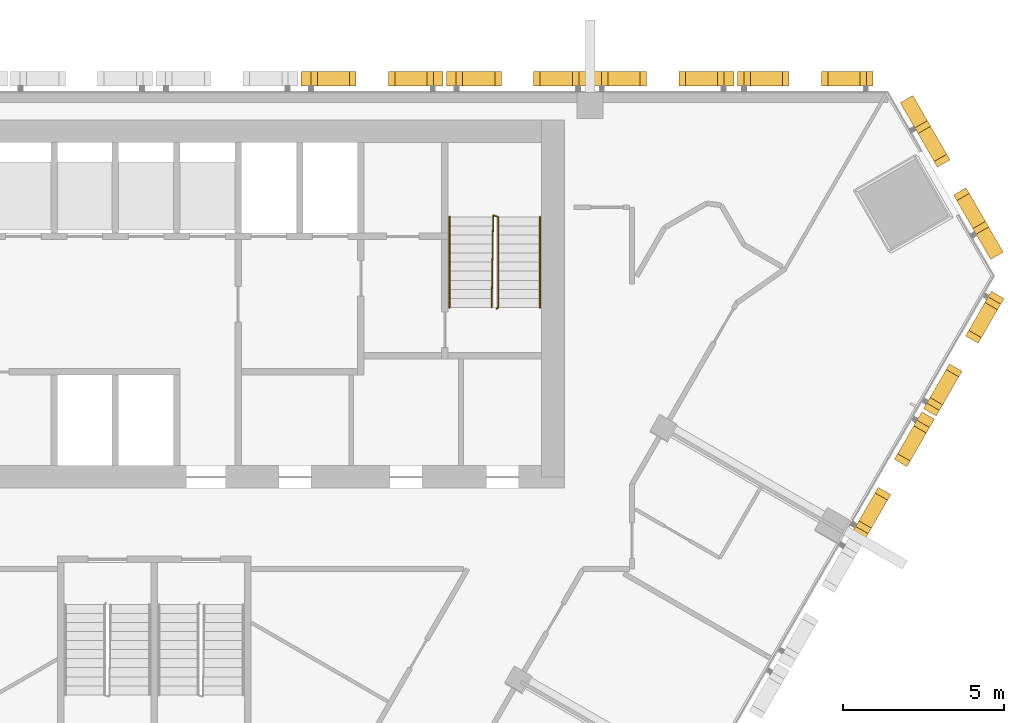
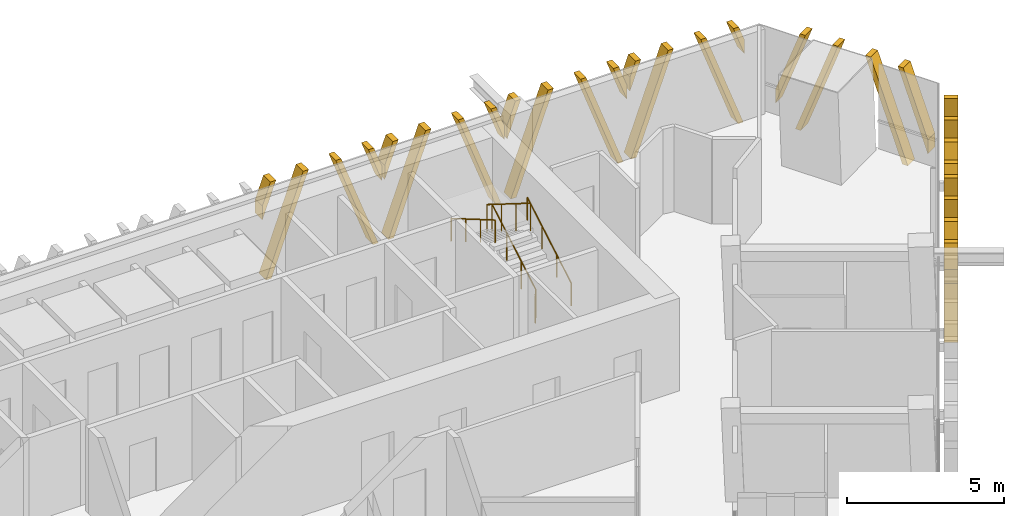
# One storey, part 14 of 15: 7 shading devices, 3 railings.
"""IFC4 building model written with IfcOpenShell, lengths in metres."""

from ifc_helpers import new_model, si_unit, direction, frame, origin, origin_2d, place, context, subcontext, project, spatial, polyline, circle, outline, extrude, source, transform, mapped, material, type_object, element, save


model = new_model("IFC4")

# Units and contexts
model_context = context("Model", 3, precision=1e-05, world=origin(), true_north=direction((0.0, 1.0)))
body_context = subcontext(model_context, "Body", "Model", "MODEL_VIEW")
ifc_project = project(units=[si_unit("LENGTHUNIT", "METRE"), si_unit("AREAUNIT", "SQUARE_METRE"), si_unit("VOLUMEUNIT", "CUBIC_METRE"), si_unit("PLANEANGLEUNIT", "RADIAN"), si_unit("MASSUNIT", "GRAM", prefix="KILO")], contexts=[model_context])

# Site, building, storey
site_placement = place(None, origin())
site = spatial("IfcSite", under=ifc_project, at=site_placement, CompositionType="ELEMENT")
building_placement = place(site_placement, origin())
building = spatial("IfcBuilding", under=site, at=building_placement, Name="Altiplano Prism Tower", CompositionType="ELEMENT")
storey_placement = place(building_placement, frame((0.0, 0.0, 185.39990234375)))
storey = spatial("IfcBuildingStorey", under=building, at=storey_placement, Name="L48", CompositionType="ELEMENT", Elevation=185.39990234375)

# Railings
ifc_material_1 = material(Name="Steel S355", Category="steel")
railing_type_1 = type_object("IfcRailingType", Name="Stair guard 1100", PredefinedType="GUARDRAIL", material=ifc_material_1)
railing_1_placement = place(storey_placement, frame((95.60009765625, 98.25, 0.0)))
element("IfcRailing", 1, at=railing_1_placement, inside=storey, type_object=railing_type_1, Name="L48 ST2 stair guard 1", PredefinedType="GUARDRAIL", context=body_context, shape_type="SweptSolid", body=[
    extrude(circle(Radius=0.02392578125, at=origin_2d()), frame((0.0, 0.0, 1.076171875), z_axis=(0.279194930351, 0.280563532951, 0.91833234444), x_axis=(-0.708833529934, 0.705375805398, 0.0)), (0.0, 0.0, 1.0), 0.178466796875),
    extrude(circle(Radius=0.02392578125, at=origin_2d()), frame((0.0498046875, 0.050048828125, 1.23974609375), z_axis=(0.0, 0.863393664356, 0.504530851732), x_axis=(-1.0, 0.0, 0.0)), (0.0, 0.0, 1.0), 3.2431640625),
    extrude(circle(Radius=0.02392578125, at=origin_2d()), frame((0.0498046875, 2.85009765625, 2.8759765625), z_axis=(-0.948991962702, 0.315300261223, 0.0), x_axis=(-0.315300261223, -0.948991962702, 0.0)), (0.0, 0.0, 1.0), 0.157958984375),
    extrude(circle(Radius=0.02392578125, at=origin_2d()), frame((-0.10009765625, 2.89990234375, 2.8759765625), z_axis=(-0.014846418356, -0.845376787675, 0.533964109957), x_axis=(0.999845825584, -0.017559187376, 0.0)), (0.0, 0.0, 1.0), 3.37109375),
    extrude(circle(Radius=0.02099609375, at=origin_2d()), origin(), (0.0, 0.0, 1.0), 1.052001953125),
    extrude(circle(Radius=0.02099609375, at=origin_2d()), frame((0.0498046875, 0.050048828125, 0.163818359375)), (0.0, 0.0, 1.0), 1.052001953125),
    extrude(circle(Radius=0.02099609375, at=origin_2d()), frame((0.0498046875, 0.9833984375, 0.709228515625)), (0.0, 0.0, 1.0), 1.052001953125),
    extrude(circle(Radius=0.02099609375, at=origin_2d()), frame((0.0498046875, 1.916748046875, 1.254638671875)), (0.0, 0.0, 1.0), 1.052001953125),
    extrude(circle(Radius=0.02099609375, at=origin_2d()), frame((0.0498046875, 2.85009765625, 1.800048828125)), (0.0, 0.0, 1.0), 1.052001953125),
    extrude(circle(Radius=0.02099609375, at=origin_2d()), frame((-0.10009765625, 2.89990234375, 1.800048828125)), (0.0, 0.0, 1.0), 1.052001953125),
    extrude(circle(Radius=0.02099609375, at=origin_2d()), frame((-0.11669921875, 1.949951171875, 2.400146484375)), (0.0, 0.0, 1.0), 1.052001953125),
    extrude(circle(Radius=0.02099609375, at=origin_2d()), frame((-0.133544921875, 1.0, 3.0)), (0.0, 0.0, 1.0), 1.052001953125),
    extrude(circle(Radius=0.02099609375, at=origin_2d()), frame((-0.150146484375, 0.050048828125, 3.60009765625)), (0.0, 0.0, 1.0), 1.052001953125),
])
railing_type_2 = type_object("IfcRailingType", Name="Stair handrail 900", PredefinedType="HANDRAIL", material=ifc_material_1)
railing_2_placement = place(storey_placement, frame((96.949951171875, 98.300048828125, 0.163818359375)))
element("IfcRailing", 2, at=railing_2_placement, inside=storey, type_object=railing_type_2, Name="L48 ST2 stair handrail 1", PredefinedType="HANDRAIL", context=body_context, shape_type="SweptSolid", body=[
    extrude(circle(Radius=0.02392578125, at=origin_2d()), frame((0.0, 0.0, 0.8759765625), z_axis=(0.0, 0.863393664356, 0.504530851732), x_axis=(-1.0, 0.0, 0.0)), (0.0, 0.0, 1.0), 3.2431640625),
    extrude(circle(Radius=0.02099609375, at=origin_2d()), origin(), (0.0, 0.0, 1.0), 0.851806640625),
    extrude(circle(Radius=0.02099609375, at=origin_2d()), frame((0.0, 0.933349609375, 0.54541015625)), (0.0, 0.0, 1.0), 0.851806640625),
    extrude(circle(Radius=0.02099609375, at=origin_2d()), frame((0.0, 1.86669921875, 1.0908203125)), (0.0, 0.0, 1.0), 0.851806640625),
    extrude(circle(Radius=0.02099609375, at=origin_2d()), frame((0.0, 2.800048828125, 1.63623046875)), (0.0, 0.0, 1.0), 0.851806640625),
])
railing_3_placement = place(storey_placement, frame((94.14990234375, 101.10009765625, 1.963623046875)))
element("IfcRailing", 3, at=railing_3_placement, inside=storey, type_object=railing_type_2, Name="L48 ST2 stair handrail 2", PredefinedType="HANDRAIL", context=body_context, shape_type="SweptSolid", body=[
    extrude(circle(Radius=0.02392578125, at=origin_2d()), frame((0.0, 0.0, 0.8759765625), z_axis=(0.0, -0.863360870873, 0.504586966384), x_axis=(1.0, 0.0, 0.0)), (0.0, 0.0, 1.0), 3.2431640625),
    extrude(circle(Radius=0.02099609375, at=origin_2d()), origin(), (0.0, 0.0, 1.0), 0.851806640625),
    extrude(circle(Radius=0.02099609375, at=origin_2d()), frame((0.0, -0.933349609375, 0.54541015625)), (0.0, 0.0, 1.0), 0.851806640625),
    extrude(circle(Radius=0.02099609375, at=origin_2d()), frame((0.0, -1.86669921875, 1.091064453125)), (0.0, 0.0, 1.0), 0.851806640625),
    extrude(circle(Radius=0.02099609375, at=origin_2d()), frame((0.0, -2.800048828125, 1.636474609375)), (0.0, 0.0, 1.0), 0.851806640625),
])

# Shading devices
ifc_material_2 = material(Name="Warm limestone cast stone", Category="masonry")
shading_device_type_1 = type_object("IfcShadingDeviceType", Name="Stone fin panel, wide closing bay", PredefinedType="USERDEFINED", material=ifc_material_2)
shared_shape_1 = source(origin(), body_context, "Body", "SweptSolid", [
    extrude(outline(polyline([(-2.10009765625, 2.65087890625), (-1.699951171875, 3.75), (-1.89990234375, 3.75), (-2.10009765625, 3.200439453125), (-2.10009765625, 2.65087890625)])), frame((0.0, -0.14990234375, 0.0), z_axis=(0.0, -1.0, 0.0), x_axis=(1.0, 0.0, 0.0)), (0.0, 0.0, 1.0), 0.4501953125),
    extrude(outline(polyline([(-2.06494140625, 0.0), (-1.864990234375, 0.0), (-0.5, 3.75), (-0.699951171875, 3.75), (-2.06494140625, 0.0)])), frame((0.0, -0.14990234375, 0.0), z_axis=(0.0, -1.0, 0.0), x_axis=(1.0, 0.0, 0.0)), (0.0, 0.0, 1.0), 0.4501953125),
    extrude(outline(polyline([(1.864990234375, 0.0), (2.06494140625, 0.0), (0.699951171875, 3.75), (0.5, 3.75), (1.864990234375, 0.0)])), frame((0.0, -0.14990234375, 0.0), z_axis=(0.0, -1.0, 0.0), x_axis=(1.0, 0.0, 0.0)), (0.0, 0.0, 1.0), 0.4501953125),
    extrude(outline(polyline([(2.10009765625, 3.200439453125), (1.89990234375, 3.75), (1.699951171875, 3.75), (2.10009765625, 2.65087890625), (2.10009765625, 3.200439453125)])), frame((0.0, -0.14990234375, 0.0), z_axis=(0.0, -1.0, 0.0), x_axis=(1.0, 0.0, 0.0)), (0.0, 0.0, 1.0), 0.4501953125),
])
shading_device_1_placement = place(storey_placement, origin())
element("IfcShadingDevice", 4, at=shading_device_1_placement, inside=storey, type_object=shading_device_type_1, Name="Fin L48 north face 1", ObjectType="FIN", PredefinedType="USERDEFINED", context=body_context, shape_type="MappedRepresentation", body=[
    mapped(shared_shape_1, transform((105.160400390625, 105.0, -0.449951171875), x_axis=(-1.0, 0.0, 0.0), y_axis=(0.0, -1.0, 0.0), z_axis=(0.0, 0.0, 1.0))),
])
shading_device_2_placement = place(storey_placement, origin())
element("IfcShadingDevice", 5, at=shading_device_2_placement, inside=storey, type_object=shading_device_type_1, Name="Fin L48 south-east face 10", ObjectType="FIN", PredefinedType="USERDEFINED", context=body_context, shape_type="MappedRepresentation", body=[
    mapped(shared_shape_1, transform((109.7470703125, 97.055419921875, -0.449951171875), x_axis=(0.499999992925, 0.866025407869, 0.0), y_axis=(-0.866025407869, 0.499999992925, 0.0), z_axis=(0.0, 0.0, 1.0))),
])
shading_device_type_2 = type_object("IfcShadingDeviceType", Name="Stone fin panel, standard unit", PredefinedType="USERDEFINED", material=ifc_material_2)
shared_shape_2 = source(origin(), body_context, "Body", "SweptSolid", [
    extrude(outline(polyline([(-2.199951171875, 2.376220703125), (-1.699951171875, 3.75), (-1.89990234375, 3.75), (-2.199951171875, 2.92578125), (-2.199951171875, 2.376220703125)])), frame((0.0, -0.14990234375, 0.0), z_axis=(0.0, -1.0, 0.0), x_axis=(1.0, 0.0, 0.0)), (0.0, 0.0, 1.0), 0.4501953125),
    extrude(outline(polyline([(-2.06494140625, 0.0), (-1.864990234375, 0.0), (-0.5, 3.75), (-0.699951171875, 3.75), (-2.06494140625, 0.0)])), frame((0.0, -0.14990234375, 0.0), z_axis=(0.0, -1.0, 0.0), x_axis=(1.0, 0.0, 0.0)), (0.0, 0.0, 1.0), 0.4501953125),
    extrude(outline(polyline([(1.864990234375, 0.0), (2.06494140625, 0.0), (0.699951171875, 3.75), (0.5, 3.75), (1.864990234375, 0.0)])), frame((0.0, -0.14990234375, 0.0), z_axis=(0.0, -1.0, 0.0), x_axis=(1.0, 0.0, 0.0)), (0.0, 0.0, 1.0), 0.4501953125),
    extrude(outline(polyline([(2.199951171875, 2.92578125), (1.89990234375, 3.75), (1.699951171875, 3.75), (2.199951171875, 2.376220703125), (2.199951171875, 2.92578125)])), frame((0.0, -0.14990234375, 0.0), z_axis=(0.0, -1.0, 0.0), x_axis=(1.0, 0.0, 0.0)), (0.0, 0.0, 1.0), 0.4501953125),
])
shading_device_3_placement = place(storey_placement, origin())
element("IfcShadingDevice", 6, at=shading_device_3_placement, inside=storey, type_object=shading_device_type_2, Name="Fin L48 north face 2", ObjectType="FIN", PredefinedType="USERDEFINED", context=body_context, shape_type="MappedRepresentation", body=[
    mapped(shared_shape_2, transform((100.75, 105.0, -0.449951171875), x_axis=(-1.0, 0.0, 0.0), y_axis=(0.0, -1.0, 0.0), z_axis=(0.0, 0.0, 1.0))),
])
shading_device_4_placement = place(storey_placement, origin())
element("IfcShadingDevice", 7, at=shading_device_4_placement, inside=storey, type_object=shading_device_type_2, Name="Fin L48 north face 3", ObjectType="FIN", PredefinedType="USERDEFINED", context=body_context, shape_type="MappedRepresentation", body=[
    mapped(shared_shape_2, transform((96.25, 105.0, -0.449951171875), x_axis=(-1.0, 0.0, 0.0), y_axis=(0.0, -1.0, 0.0), z_axis=(0.0, 0.0, 1.0))),
])
shading_device_5_placement = place(storey_placement, origin())
element("IfcShadingDevice", 8, at=shading_device_5_placement, inside=storey, type_object=shading_device_type_2, Name="Fin L48 north face 4", ObjectType="FIN", PredefinedType="USERDEFINED", context=body_context, shape_type="MappedRepresentation", body=[
    mapped(shared_shape_2, transform((91.75, 105.0, -0.449951171875), x_axis=(-1.0, 0.0, 0.0), y_axis=(0.0, -1.0, 0.0), z_axis=(0.0, 0.0, 1.0))),
])
shading_device_6_placement = place(storey_placement, origin())
element("IfcShadingDevice", 9, at=shading_device_6_placement, inside=storey, type_object=shading_device_type_2, Name="Fin L48 south-east face 9", ObjectType="FIN", PredefinedType="USERDEFINED", context=body_context, shape_type="MappedRepresentation", body=[
    mapped(shared_shape_2, transform((107.5419921875, 93.23583984375, -0.449951171875), x_axis=(0.499999992925, 0.866025407869, 0.0), y_axis=(-0.866025407869, 0.499999992925, 0.0), z_axis=(0.0, 0.0, 1.0))),
])
shading_device_type_3 = type_object("IfcShadingDeviceType", Name="Stone fin panel, chamfer unit", PredefinedType="USERDEFINED", material=ifc_material_2)
shared_shape_3 = source(origin(), body_context, "Body", "SweptSolid", [
    extrude(outline(polyline([(-2.800048828125, 0.727783203125), (-1.699951171875, 3.75), (-1.89990234375, 3.75), (-2.800048828125, 1.27734375), (-2.800048828125, 0.727783203125)])), frame((0.0, -0.14990234375, 0.0), z_axis=(0.0, -1.0, 0.0), x_axis=(1.0, 0.0, 0.0)), (0.0, 0.0, 1.0), 0.4501953125),
    extrude(outline(polyline([(-2.06494140625, 0.0), (-1.864990234375, 0.0), (-0.5, 3.75), (-0.699951171875, 3.75), (-2.06494140625, 0.0)])), frame((0.0, -0.14990234375, 0.0), z_axis=(0.0, -1.0, 0.0), x_axis=(1.0, 0.0, 0.0)), (0.0, 0.0, 1.0), 0.4501953125),
    extrude(outline(polyline([(1.864990234375, 0.0), (2.06494140625, 0.0), (0.699951171875, 3.75), (0.5, 3.75), (1.864990234375, 0.0)])), frame((0.0, -0.14990234375, 0.0), z_axis=(0.0, -1.0, 0.0), x_axis=(1.0, 0.0, 0.0)), (0.0, 0.0, 1.0), 0.4501953125),
    extrude(outline(polyline([(2.800048828125, 1.27734375), (1.89990234375, 3.75), (1.699951171875, 3.75), (2.800048828125, 0.727783203125), (2.800048828125, 1.27734375)])), frame((0.0, -0.14990234375, 0.0), z_axis=(0.0, -1.0, 0.0), x_axis=(1.0, 0.0, 0.0)), (0.0, 0.0, 1.0), 0.4501953125),
])
shading_device_7_placement = place(storey_placement, origin())
element("IfcShadingDevice", 10, at=shading_device_7_placement, inside=storey, type_object=shading_device_type_3, Name="Fin L48 north-east chamfer 1", ObjectType="FIN", PredefinedType="USERDEFINED", context=body_context, shape_type="MappedRepresentation", body=[
    mapped(shared_shape_3, transform((109.3740234375, 102.13623046875, -0.449951171875), x_axis=(-0.499999977777, 0.866025416615, 0.0), y_axis=(-0.866025416615, -0.499999977777, 0.0), z_axis=(0.0, 0.0, 1.0))),
])

save(model, "model.ifc")
